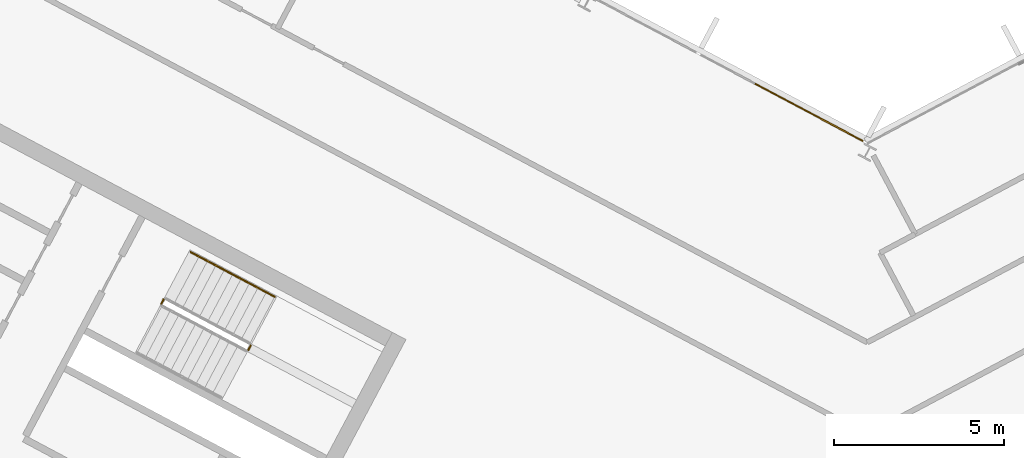
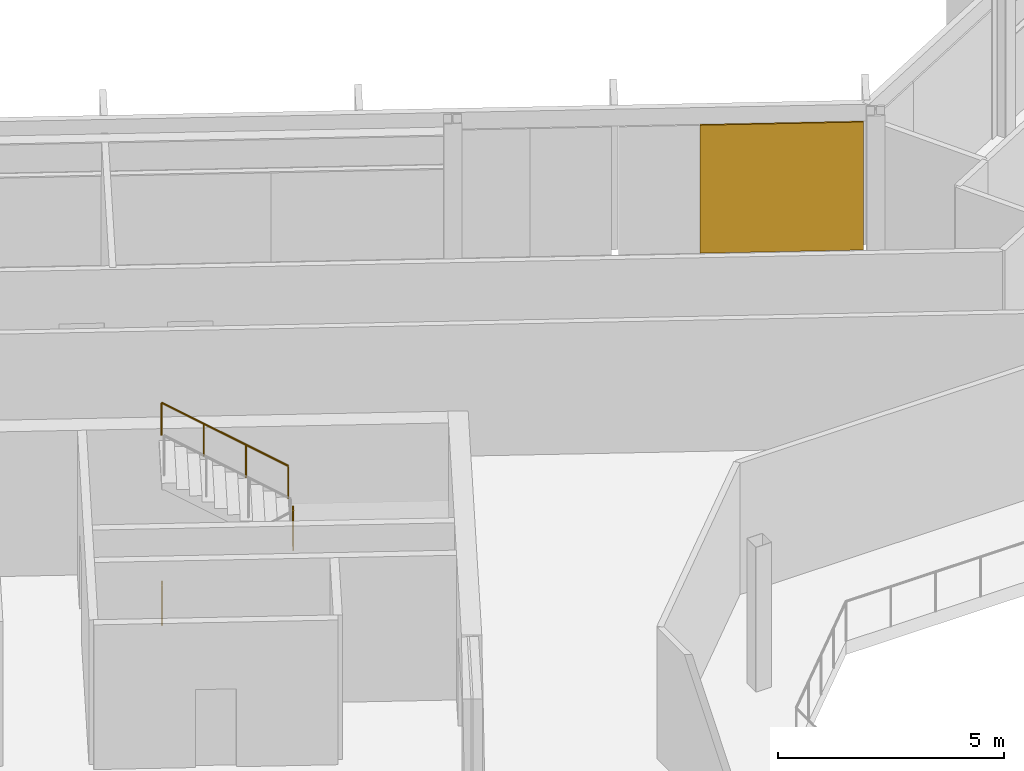
# One storey, part 23 of 26: 3 railings, 1 covering, 1 element without a shape of its own.
"""IFC4 building model written with IfcOpenShell, lengths in metres."""

from ifc_helpers import new_model, si_unit, direction, frame, origin, origin_2d, place, context, subcontext, project, spatial, polyline, rectangle, outline, extrude, material, layer, layer_set, type_object, element, aggregate, save


model = new_model("IFC4")

# Units and contexts
model_context = context("Model", 3, precision=1e-05, world=origin(), true_north=direction((0.0, 1.0)))
body_context = subcontext(model_context, "Body", "Model", "MODEL_VIEW")
ifc_project = project(units=[si_unit("LENGTHUNIT", "METRE"), si_unit("AREAUNIT", "SQUARE_METRE"), si_unit("VOLUMEUNIT", "CUBIC_METRE"), si_unit("PLANEANGLEUNIT", "RADIAN"), si_unit("MASSUNIT", "GRAM", prefix="KILO")], contexts=[model_context])

# Site, building, storey
site_placement = place(None, origin())
site = spatial("IfcSite", under=ifc_project, at=site_placement, CompositionType="ELEMENT")
building_placement = place(site_placement, origin())
building = spatial("IfcBuilding", under=site, at=building_placement, Name="Cormorant Relay Tower", CompositionType="ELEMENT")
storey_placement = place(building_placement, frame((0.0, 0.0, 308.699951171875)))
storey = spatial("IfcBuildingStorey", under=building, at=storey_placement, Name="L70", CompositionType="ELEMENT", Elevation=308.699951171875)

# Curtain wall, covering
ifc_material_1 = material(Name="Aluminium 6063-T6 anodised bronze", Category="aluminium")
ifc_layer_1 = layer(ifc_material_1, 0.199951171875)
ifc_layer_set_1 = layer_set([ifc_layer_1], Name="CW1 unitised bronze curtain wall with vertical fins")
curtain_wall_type = type_object("IfcCurtainWallType", Name="CW1 unitised bronze curtain wall with vertical fins", PredefinedType="NOTDEFINED", material=ifc_layer_set_1)
curtain_wall_placement = place(storey_placement, origin())
curtain_wall = element("IfcCurtainWall", 1, at=curtain_wall_placement, inside=storey, type_object=curtain_wall_type, Name="CW1 curtain wall 9", PredefinedType="NOTDEFINED")
ifc_material_2 = material(Name="Pale bronze anodised aluminium insulated panel", Category="aluminium")
ifc_layer_2 = layer(ifc_material_2, 0.0400390625)
ifc_layer_set_2 = layer_set([ifc_layer_2], Name="CW1 pale bronze insulated panel 40")
covering_type = type_object("IfcCoveringType", Name="CW1 pale bronze insulated panel 40", PredefinedType="CLADDING", material=ifc_layer_set_2)
covering_placement = place(storey_placement, frame((-1.718505859375, 24.720458984375, 0.0), z_axis=(0.0, 0.0, 1.0), x_axis=(-0.882947592859, 0.469471562786, 0.0)))
covering = element("IfcCovering", 2, at=covering_placement, type_object=covering_type, Name="CW1 panel S00", PredefinedType="CLADDING", context=body_context, shape_type="SweptSolid", body=[
    extrude(rectangle(XDim=3.614013671875, YDim=0.0400390625, at=origin_2d()), origin(), (0.0, 0.0, 1.0), 3.449951171875),
])
aggregate(curtain_wall, [covering])

# Railings
ifc_material_3 = material(Name="Steel ASTM A572 Grade 50 (Fy 345 MPa)", Category="steel")
railing_type_1 = type_object("IfcRailingType", Name="Stair guard 1100", PredefinedType="GUARDRAIL", material=ifc_material_3)
railing_1_placement = place(storey_placement, frame((-18.210693359375, 17.72412109375, 1.949951171875)))
element("IfcRailing", 3, at=railing_1_placement, inside=storey, type_object=railing_type_1, Name="L70 A1 stair guard 2", PredefinedType="GUARDRAIL", context=body_context, shape_type="SweptSolid", body=[
    extrude(outline(polyline([(0.022216796875, 0.00927734375), (0.00927734375, 0.022216796875), (-0.00927734375, 0.022216796875), (-0.022216796875, 0.00927734375), (-0.022216796875, -0.00927734375), (-0.00927734375, -0.022216796875), (0.00927734375, -0.022216796875), (0.022216796875, -0.00927734375), (0.022216796875, 0.00927734375)])), frame((0.0, 0.0, 1.076171875), z_axis=(0.470503732759, 0.882398003998, 0.0), x_axis=(-0.882398003998, 0.470503732759, 0.0)), (0.0, 0.0, 1.0), 0.14990234375),
    extrude(outline(polyline([(0.019287109375, 0.008056640625), (0.008056640625, 0.019287109375), (-0.008056640625, 0.019287109375), (-0.019287109375, 0.008056640625), (-0.019287109375, -0.008056640625), (-0.008056640625, -0.019287109375), (0.008056640625, -0.019287109375), (0.019287109375, -0.008056640625), (0.019287109375, 0.008056640625)])), origin(), (0.0, 0.0, 1.0), 1.052001953125),
    extrude(outline(polyline([(0.019287109375, 0.008056640625), (0.008056640625, 0.019287109375), (-0.008056640625, 0.019287109375), (-0.019287109375, 0.008056640625), (-0.019287109375, -0.008056640625), (-0.008056640625, -0.019287109375), (0.008056640625, -0.019287109375), (0.019287109375, -0.008056640625), (0.019287109375, 0.008056640625)])), frame((0.070556640625, 0.13232421875, 0.0)), (0.0, 0.0, 1.0), 1.052001953125),
])
railing_2_placement = place(storey_placement, frame((-20.771240234375, 19.08544921875, 0.0)))
element("IfcRailing", 4, at=railing_2_placement, inside=storey, type_object=railing_type_1, Name="L70 A1 stair guard 4", PredefinedType="GUARDRAIL", context=body_context, shape_type="SweptSolid", body=[
    extrude(outline(polyline([(0.022216796875, 0.00927734375), (0.00927734375, 0.022216796875), (-0.00927734375, 0.022216796875), (-0.022216796875, 0.00927734375), (-0.022216796875, -0.00927734375), (-0.00927734375, -0.022216796875), (0.00927734375, -0.022216796875), (0.022216796875, -0.00927734375), (0.022216796875, 0.00927734375)])), frame((0.0, 0.0, 1.076171875), z_axis=(0.469828648786, 0.882757634224, 0.0), x_axis=(-0.882757634224, 0.469828648786, 0.0)), (0.0, 0.0, 1.0), 0.150146484375),
    extrude(outline(polyline([(0.019287109375, 0.008056640625), (0.008056640625, 0.019287109375), (-0.008056640625, 0.019287109375), (-0.019287109375, 0.008056640625), (-0.019287109375, -0.008056640625), (-0.008056640625, -0.019287109375), (0.008056640625, -0.019287109375), (0.019287109375, -0.008056640625), (0.019287109375, 0.008056640625)])), origin(), (0.0, 0.0, 1.0), 1.052001953125),
    extrude(outline(polyline([(0.019287109375, 0.008056640625), (0.008056640625, 0.019287109375), (-0.008056640625, 0.019287109375), (-0.019287109375, 0.008056640625), (-0.019287109375, -0.008056640625), (-0.008056640625, -0.019287109375), (0.008056640625, -0.019287109375), (0.019287109375, -0.008056640625), (0.019287109375, 0.008056640625)])), frame((0.070556640625, 0.132568359375, 0.0)), (0.0, 0.0, 1.0), 1.052001953125),
])
ifc_material_4 = material(Name="Steel ASTM A572 Grade 50 (Fy 345 MPa)", Category="steel")
railing_type_2 = type_object("IfcRailingType", Name="Stair handrail 900", PredefinedType="HANDRAIL", material=ifc_material_4)
railing_3_placement = place(storey_placement, frame((-17.433349609375, 19.292724609375, 2.12744140625)))
element("IfcRailing", 5, at=railing_3_placement, inside=storey, type_object=railing_type_2, Name="L70 A1 stair handrail 2", PredefinedType="HANDRAIL", context=body_context, shape_type="SweptSolid", body=[
    extrude(outline(polyline([(0.022216796875, 0.00927734375), (0.00927734375, 0.022216796875), (-0.00927734375, 0.022216796875), (-0.022216796875, 0.00927734375), (-0.022216796875, -0.00927734375), (-0.00927734375, -0.022216796875), (0.00927734375, -0.022216796875), (0.022216796875, -0.00927734375), (0.022216796875, 0.00927734375)])), frame((0.0, 0.0, 0.8759765625), z_axis=(-0.746001213114, 0.396649272309, 0.534931345884), x_axis=(-0.469465464807, -0.882950835185, 0.0)), (0.0, 0.0, 1.0), 3.31396484375),
    extrude(outline(polyline([(0.019287109375, 0.008056640625), (0.008056640625, 0.019287109375), (-0.008056640625, 0.019287109375), (-0.019287109375, 0.008056640625), (-0.019287109375, -0.008056640625), (-0.008056640625, -0.019287109375), (0.008056640625, -0.019287109375), (0.019287109375, -0.008056640625), (0.019287109375, 0.008056640625)])), origin(), (0.0, 0.0, 1.0), 0.851806640625),
    extrude(outline(polyline([(0.019287109375, 0.008056640625), (0.008056640625, 0.019287109375), (-0.008056640625, 0.019287109375), (-0.019287109375, 0.008056640625), (-0.019287109375, -0.008056640625), (-0.008056640625, -0.019287109375), (0.008056640625, -0.019287109375), (0.019287109375, -0.008056640625), (0.019287109375, 0.008056640625)])), frame((-0.823974609375, 0.438232421875, 0.5908203125)), (0.0, 0.0, 1.0), 0.851806640625),
    extrude(outline(polyline([(0.019287109375, 0.008056640625), (0.008056640625, 0.019287109375), (-0.008056640625, 0.019287109375), (-0.019287109375, 0.008056640625), (-0.019287109375, -0.008056640625), (-0.008056640625, -0.019287109375), (0.008056640625, -0.019287109375), (0.019287109375, -0.008056640625), (0.019287109375, 0.008056640625)])), frame((-1.648193359375, 0.876220703125, 1.181884765625)), (0.0, 0.0, 1.0), 0.851806640625),
    extrude(outline(polyline([(0.019287109375, 0.008056640625), (0.008056640625, 0.019287109375), (-0.008056640625, 0.019287109375), (-0.019287109375, 0.008056640625), (-0.019287109375, -0.008056640625), (-0.008056640625, -0.019287109375), (0.008056640625, -0.019287109375), (0.019287109375, -0.008056640625), (0.019287109375, 0.008056640625)])), frame((-2.47216796875, 1.314453125, 1.772705078125)), (0.0, 0.0, 1.0), 0.851806640625),
])

save(model, "model.ifc")
